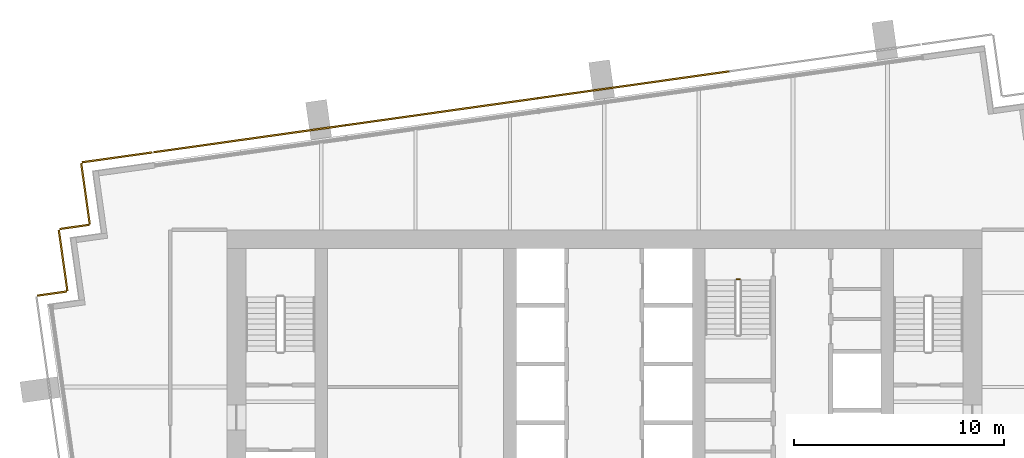
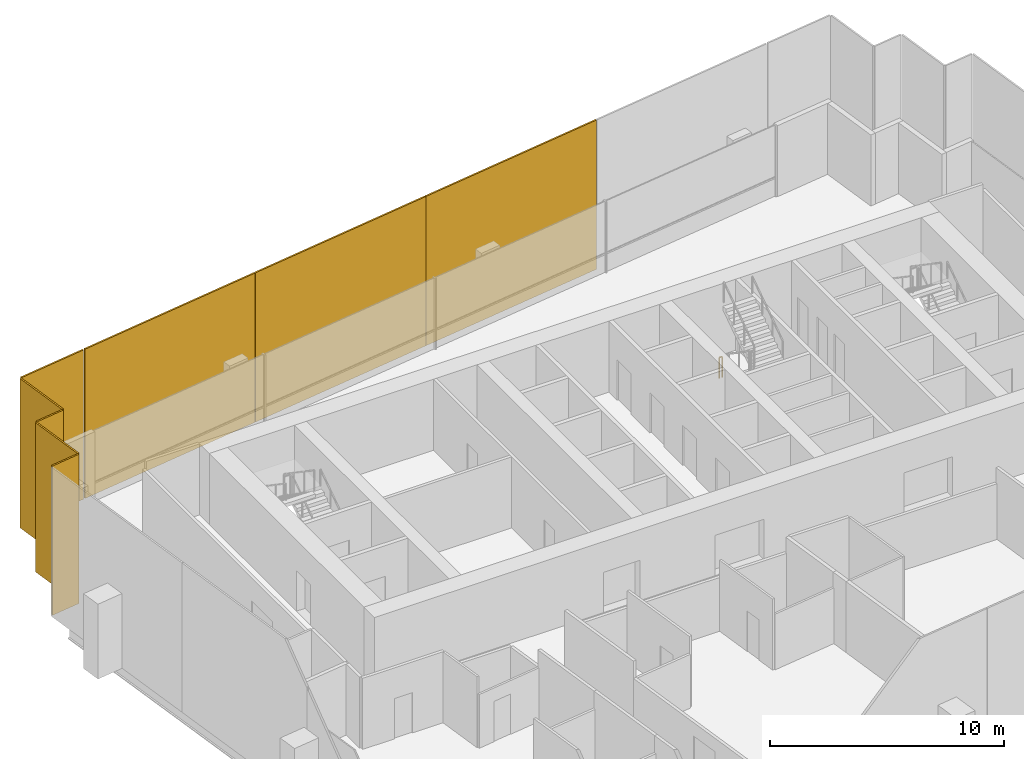
# One storey, part 14 of 15: 8 coverings, 1 railing.
"""IFC4 building model written with IfcOpenShell, lengths in metres."""

import ifcopenshell
import ifcopenshell.guid

model = None  # the IFC model being written
_history = None  # IfcOwnerHistory: only IFC2X3 demands one
_inside = {}  # id of a spatial element -> (the spatial element, [elements in it])
_under = {}  # id of a project, library or spatial element -> (it, [spatial elements below it])
_declared = {}  # id of a project -> (the project, [libraries it declares])
_typed = {}  # id of a type object -> (the type object, [elements of that type])
_made_of = {}  # id of a material, layer set ... -> (it, [elements and type objects made of it])


def new_model(schema):
    """Start an empty IFC model of exactly this schema.

    Asked for "IFC4X3", IfcOpenShell would pick the latest addendum, in which some entities
    have other attributes; the version numbers below select the first issue.
    IFC2X3 requires an IfcOwnerHistory on every rooted entity: one is made here for all.
    """
    global model, _history
    if schema == "IFC4X3":
        model = ifcopenshell.file(schema_version=(4, 3, 0, 0))
    else:
        model = ifcopenshell.file(schema=schema)
    _inside.clear()
    _under.clear()
    _declared.clear()
    _typed.clear()
    _made_of.clear()
    _history = None
    if model.schema == "IFC2X3":
        org = make("IfcOrganization", Name="unknown")
        user = make(
            "IfcPersonAndOrganization",
            ThePerson=make("IfcPerson", FamilyName="unknown"),
            TheOrganization=org,
        )
        app = make(
            "IfcApplication",
            ApplicationDeveloper=org,
            Version="unknown",
            ApplicationFullName="unknown",
            ApplicationIdentifier="unknown",
        )
        _history = make(
            "IfcOwnerHistory",
            OwningUser=user,
            OwningApplication=app,
            ChangeAction="ADDED",
            CreationDate=0,
        )
    return model


def make(cls, **values):
    """One entity of the class cls with the attributes given. An attribute that is None is left unset."""
    return model.create_entity(
        cls, **{name: value for name, value in values.items() if value is not None}
    )


def rooted(cls, **values):
    """An entity with a GlobalId (a new one), such as an element, a storey or a relation."""
    return make(cls, GlobalId=ifcopenshell.guid.new(), OwnerHistory=_history, **values)


def si_unit(unit_type, name, prefix=None):
    """IfcSIUnit, for example si_unit("LENGTHUNIT", "METRE", prefix="MILLI")."""
    return make("IfcSIUnit", UnitType=unit_type, Prefix=prefix, Name=name)


def assignment(units):
    """IfcUnitAssignment: the units of a project."""
    return None if units is None else make("IfcUnitAssignment", Units=units)


def point(xyz):
    """IfcCartesianPoint."""
    return None if xyz is None else make("IfcCartesianPoint", Coordinates=xyz)


def direction(xyz):
    """IfcDirection."""
    return None if xyz is None else make("IfcDirection", DirectionRatios=xyz)


def frame(location, z_axis=None, x_axis=None):
    """IfcAxis2Placement3D, a coordinate frame: its origin and axes. An axis left out is left unset."""
    return make(
        "IfcAxis2Placement3D",
        Location=point(location),
        Axis=direction(z_axis),
        RefDirection=direction(x_axis),
    )


def frame_2d(location, x_axis=None):
    """IfcAxis2Placement2D, a coordinate frame in the plane: its origin and x axis."""
    return make(
        "IfcAxis2Placement2D", Location=point(location), RefDirection=direction(x_axis)
    )


def origin():
    """The frame at (0, 0, 0) with its axes left unset."""
    return frame((0.0, 0.0, 0.0))


def origin_2d():
    """The frame at (0, 0) in the plane with its x axis left unset."""
    return frame_2d((0.0, 0.0))


def place(relative_to, where):
    """IfcLocalPlacement: puts the frame where relative to a parent placement (None: the world)."""
    return make(
        "IfcLocalPlacement", PlacementRelTo=relative_to, RelativePlacement=where
    )


def context(
    kind, dimensions, precision=None, world=None, true_north=None, identifier=None
):
    """IfcGeometricRepresentationContext, for example the 3D "Model" context."""
    return make(
        "IfcGeometricRepresentationContext",
        ContextIdentifier=identifier,
        ContextType=kind,
        CoordinateSpaceDimension=dimensions,
        Precision=precision,
        WorldCoordinateSystem=world,
        TrueNorth=true_north,
    )


def subcontext(parent, identifier, kind, view, scale=None):
    """IfcGeometricRepresentationSubContext, for example "Body" below "Model"."""
    return make(
        "IfcGeometricRepresentationSubContext",
        ContextIdentifier=identifier,
        ContextType=kind,
        ParentContext=parent,
        TargetScale=scale,
        TargetView=view,
    )


def project(units=None, contexts=None):
    """IfcProject with its units and contexts."""
    return rooted(
        "IfcProject",
        Name="project",
        RepresentationContexts=contexts,
        UnitsInContext=assignment(units),
    )


def spatial(cls, under=None, at=None, **own):
    """A site, building, storey or space (cls), placed at a placement, below another one or the project."""
    s = rooted(cls, ObjectPlacement=at, **own)
    if under is not None:
        _under.setdefault(under.id(), (under, []))[1].append(s)
    return s


def profile(cls, at=None, kind="AREA", **sizes):
    """A parametric profile (cls). Its sizes go by their IFC names, for example OverallWidth=200.0."""
    return make(cls, ProfileType=kind, Position=at, **sizes)


def rectangle(**sizes):
    """IfcRectangleProfileDef."""
    return profile("IfcRectangleProfileDef", **sizes)


def extrude(swept, where, along, depth):
    """IfcExtrudedAreaSolid: the profile swept, set in the frame where, extruded along a direction by depth."""
    return make(
        "IfcExtrudedAreaSolid",
        SweptArea=swept,
        Position=where,
        ExtrudedDirection=direction(along),
        Depth=depth,
    )


def shape(context_of_items, identifier, shape_type, items):
    """IfcShapeRepresentation: the items that make up one representation, for example the "Body"."""
    return make(
        "IfcShapeRepresentation",
        ContextOfItems=context_of_items,
        RepresentationIdentifier=identifier,
        RepresentationType=shape_type,
        Items=items,
    )


def material(Name=None, Category=None):
    """IfcMaterial."""
    return make("IfcMaterial", Name=Name, Category=Category)


def layer(
    of_material, thickness, ventilated=None, Name=None, Category=None, Priority=None
):
    """IfcMaterialLayer: one layer of a wall or slab, of a material (None: an air gap)."""
    return make(
        "IfcMaterialLayer",
        Material=of_material,
        LayerThickness=thickness,
        IsVentilated=ventilated,
        Name=Name,
        Category=Category,
        Priority=Priority,
    )


def layer_set(layers, Name=None):
    """IfcMaterialLayerSet."""
    return make("IfcMaterialLayerSet", MaterialLayers=layers, LayerSetName=Name)


def made_of(thing, what):
    """Note that an element or type object is made of a material, layer set ...; save() writes the relation."""
    if what is not None:
        _made_of.setdefault(what.id(), (what, []))[1].append(thing)
    return thing


def type_object(cls, material=None, **own):
    """A type object (cls), such as IfcWallType, which elements share."""
    return made_of(rooted(cls, **own), material)


def element(
    cls,
    number,
    at=None,
    inside=None,
    cuts=None,
    type_object=None,
    material=None,
    context=None,
    identifier="Body",
    shape_type=None,
    held_by="IfcProductDefinitionShape",
    body=None,
    shapes=None,
    **own,
):
    """One element of the class cls, such as IfcWall. Its Tag is "e" and its number.

    at: its placement. inside: the storey or other place that contains it. cuts: it is an
    opening in that element (IfcRelVoidsElement). A single representation is given by context,
    identifier, shape_type and body (its items); several are given by shapes. held_by: the class
    of the entity that holds the representations. save() writes the other relations.
    """
    e = rooted(cls, Tag="e%d" % number, ObjectPlacement=at, **own)
    if body is not None:
        shapes = [shape(context, identifier, shape_type, body)]
    if shapes is not None:
        e.Representation = make(held_by, Representations=shapes)
    if inside is not None:
        _inside.setdefault(inside.id(), (inside, []))[1].append(e)
    if cuts is not None:
        rooted(
            "IfcRelVoidsElement", RelatingBuildingElement=cuts, RelatedOpeningElement=e
        )
    if type_object is not None:
        _typed.setdefault(type_object.id(), (type_object, []))[1].append(e)
    return made_of(e, material)


def aggregate(whole, parts):
    """IfcRelAggregates: a whole, such as a stair, and the parts it consists of."""
    return rooted("IfcRelAggregates", RelatingObject=whole, RelatedObjects=parts)


def save(model, path):
    """Write the relations noted so far, then the file.

    IfcRelAggregates (storeys below a building ...), IfcRelContainedInSpatialStructure (elements
    in a storey), IfcRelDefinesByType, IfcRelAssociatesMaterial and IfcRelDeclares: one each for
    every whole, place, type object, material and project.
    """
    for whole, parts in _under.values():
        aggregate(whole, parts)
    for where, things in _inside.values():
        rooted(
            "IfcRelContainedInSpatialStructure",
            RelatedElements=things,
            RelatingStructure=where,
        )
    for kind, things in _typed.values():
        rooted("IfcRelDefinesByType", RelatedObjects=things, RelatingType=kind)
    for what, things in _made_of.values():
        rooted("IfcRelAssociatesMaterial", RelatedObjects=things, RelatingMaterial=what)
    for by, libraries in _declared.values():
        rooted("IfcRelDeclares", RelatingContext=by, RelatedDefinitions=libraries)
    model.write(path)


model = new_model("IFC4")

# Units and contexts
model_context = context("Model", 3, precision=1e-05, world=origin(), true_north=direction((0.0, 1.0)))
body_context = subcontext(model_context, "Body", "Model", "MODEL_VIEW")
ifc_project = project(units=[si_unit("LENGTHUNIT", "METRE"), si_unit("AREAUNIT", "SQUARE_METRE"), si_unit("VOLUMEUNIT", "CUBIC_METRE"), si_unit("PLANEANGLEUNIT", "RADIAN"), si_unit("MASSUNIT", "GRAM", prefix="KILO")], contexts=[model_context])

# Site, building, storey
site_placement = place(None, origin())
site = spatial("IfcSite", under=ifc_project, at=site_placement, CompositionType="ELEMENT")
building_placement = place(site_placement, origin())
building = spatial("IfcBuilding", under=site, at=building_placement, Name="Rattan Terrace Tower", CompositionType="ELEMENT")
storey_placement = place(building_placement, frame((0.0, 0.0, 266.800048828125)))
storey = spatial("IfcBuildingStorey", under=building, at=storey_placement, Name="L61", CompositionType="ELEMENT", Elevation=266.800048828125)

# Railing
ifc_material_1 = material(Name="Powder-coated steel guard", Category="steel")
railing_type = type_object("IfcRailingType", Name="Core stair guard", PredefinedType="GUARDRAIL", material=ifc_material_1)
railing_placement = place(storey_placement, frame((6.300048828125, 5.14990234375, 0.0)))
element("IfcRailing", 1, at=railing_placement, inside=storey, type_object=railing_type, Name="L61 S3 stair guard 4", PredefinedType="GUARDRAIL", context=body_context, shape_type="SweptSolid", body=[
    extrude(rectangle(XDim=0.048095703125, YDim=0.048095703125, at=origin_2d()), frame((0.0, 0.0, 1.076171875), z_axis=(1.0, 0.0, 0.0), x_axis=(0.0, 1.0, 0.0)), (0.0, 0.0, 1.0), 0.14990234375),
    extrude(rectangle(XDim=0.0419921875, YDim=0.0419921875, at=origin_2d()), origin(), (0.0, 0.0, 1.0), 1.052001953125),
    extrude(rectangle(XDim=0.0419921875, YDim=0.0419921875, at=origin_2d()), frame((0.14990234375, 0.0, 0.0)), (0.0, 0.0, 1.0), 1.052001953125),
])

# Coverings
ifc_material_2 = material(Name="Perforated terracotta", Category="masonry")
ifc_layer = layer(ifc_material_2, 0.080078125)
ifc_layer_set = layer_set([ifc_layer], Name="Facade Terracotta Screen Panel HZ")
covering_type = type_object("IfcCoveringType", Name="Facade Terracotta Screen Panel HZ", PredefinedType="CLADDING", material=ifc_layer_set)
for number, where, z_axis, x_axis, name in (
    (2, (1.37353515625, 14.41455078125, -0.18994140625), (0.0, 0.0, 1.0), (-0.990265894013, -0.139188574079, 0.0), "OUTER SKIN panel L61-15"),
    (3, (-7.785400390625, 13.127197265625, -0.18994140625), (0.0, 0.0, 1.0), (-0.990265894013, -0.139188574079, 0.0), "OUTER SKIN panel L61-16"),
):
    element("IfcCovering", number, at=place(storey_placement, frame(where, z_axis=z_axis, x_axis=x_axis)), inside=storey, type_object=covering_type, Name=name, PredefinedType="CLADDING", context=body_context, shape_type="SweptSolid", body=[
        extrude(rectangle(XDim=9.22900390625, YDim=0.080078125, at=origin_2d()), origin(), (0.0, 0.0, 1.0), 7.780029296875),
    ])
covering_1_placement = place(storey_placement, frame((-16.931640625, 11.841552734375, -0.18994140625), z_axis=(0.0, 0.0, 1.0), x_axis=(-0.990265894013, -0.139188574079, 0.0)))
element("IfcCovering", 4, at=covering_1_placement, inside=storey, type_object=covering_type, Name="OUTER SKIN panel L61-17", PredefinedType="CLADDING", context=body_context, shape_type="SweptSolid", body=[
    extrude(rectangle(XDim=9.203125, YDim=0.080078125, at=origin_2d()), origin(), (0.0, 0.0, 1.0), 7.780029296875),
])
covering_2_placement = place(storey_placement, frame((-23.236328125, 10.955810546875, -0.18994140625), z_axis=(0.0, 0.0, 1.0), x_axis=(-0.990293172258, -0.138994363123, 0.0)))
element("IfcCovering", 5, at=covering_2_placement, inside=storey, type_object=covering_type, Name="OUTER SKIN panel L61-18", PredefinedType="CLADDING", context=body_context, shape_type="SweptSolid", body=[
    extrude(rectangle(XDim=3.3701171875, YDim=0.080078125, at=origin_2d()), origin(), (0.0, 0.0, 1.0), 7.780029296875),
])
covering_3_placement = place(storey_placement, frame((-24.74462890625, 9.218994140625, -0.18994140625), z_axis=(0.0, 0.0, 1.0), x_axis=(0.138994363123, -0.990293172258, 0.0)))
element("IfcCovering", 6, at=covering_3_placement, inside=storey, type_object=covering_type, Name="OUTER SKIN panel L61-19", PredefinedType="CLADDING", context=body_context, shape_type="SweptSolid", body=[
    extrude(rectangle(XDim=2.92041015625, YDim=0.080078125, at=origin_2d()), origin(), (0.0, 0.0, 1.0), 7.780029296875),
])
covering_4_placement = place(storey_placement, frame((-25.27001953125, 7.640380859375, -0.18994140625), z_axis=(0.0, 0.0, 1.0), x_axis=(-0.990240767803, -0.139367219175, 0.0)))
element("IfcCovering", 7, at=covering_4_placement, inside=storey, type_object=covering_type, Name="OUTER SKIN panel L61-20", PredefinedType="CLADDING", context=body_context, shape_type="SweptSolid", body=[
    extrude(rectangle(XDim=1.419921875, YDim=0.080078125, at=origin_2d()), origin(), (0.0, 0.0, 1.0), 7.780029296875),
])
covering_5_placement = place(storey_placement, frame((-25.812255859375, 6.03955078125, -0.18994140625), z_axis=(0.0, 0.0, 1.0), x_axis=(0.139367219175, -0.990240767803, 0.0)))
element("IfcCovering", 8, at=covering_5_placement, inside=storey, type_object=covering_type, Name="OUTER SKIN panel L61-21", PredefinedType="CLADDING", context=body_context, shape_type="SweptSolid", body=[
    extrude(rectangle(XDim=2.919189453125, YDim=0.080078125, at=origin_2d()), origin(), (0.0, 0.0, 1.0), 7.780029296875),
])
covering_6_placement = place(storey_placement, frame((-26.337646484375, 4.46142578125, -0.18994140625), z_axis=(0.0, 0.0, 1.0), x_axis=(-0.99025370695, -0.139275252184, 0.0)))
element("IfcCovering", 9, at=covering_6_placement, inside=storey, type_object=covering_type, Name="OUTER SKIN panel L61-22", PredefinedType="CLADDING", context=body_context, shape_type="SweptSolid", body=[
    extrude(rectangle(XDim=1.420654296875, YDim=0.080078125, at=origin_2d()), origin(), (0.0, 0.0, 1.0), 7.780029296875),
])

save(model, "model.ifc")
